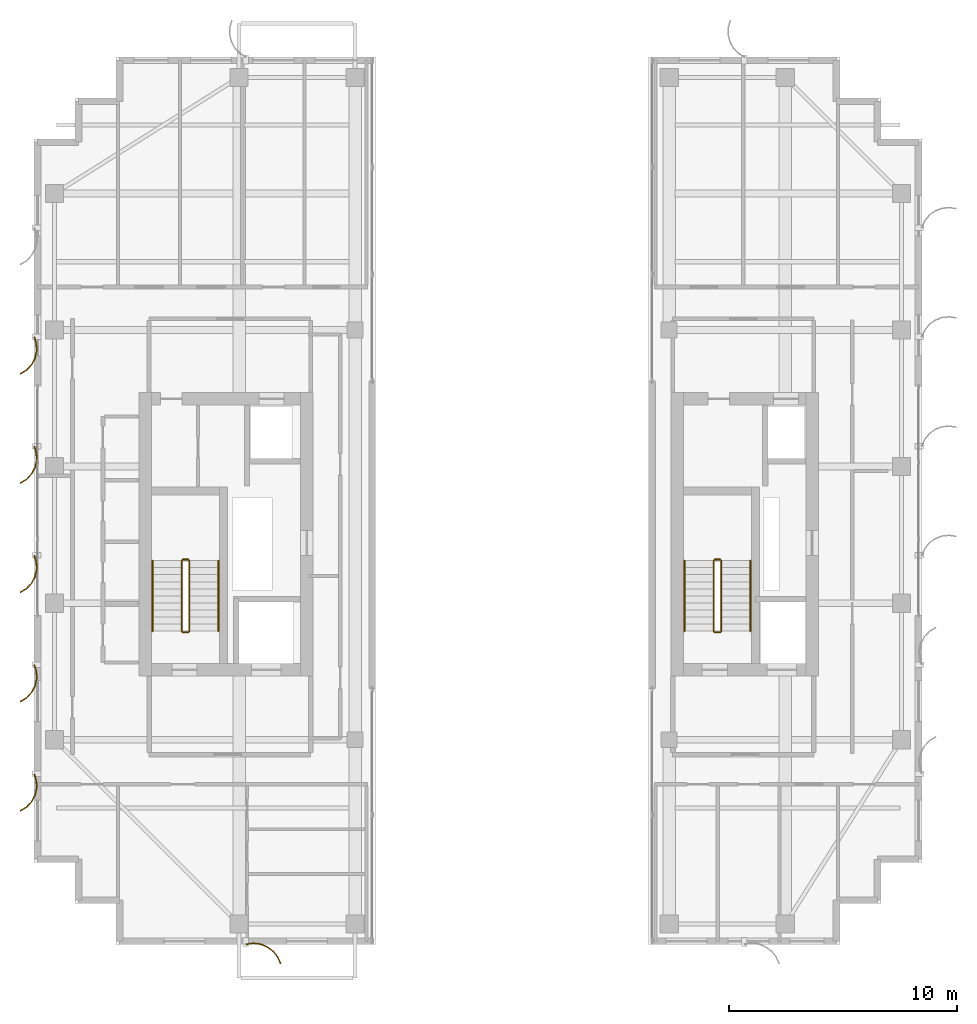
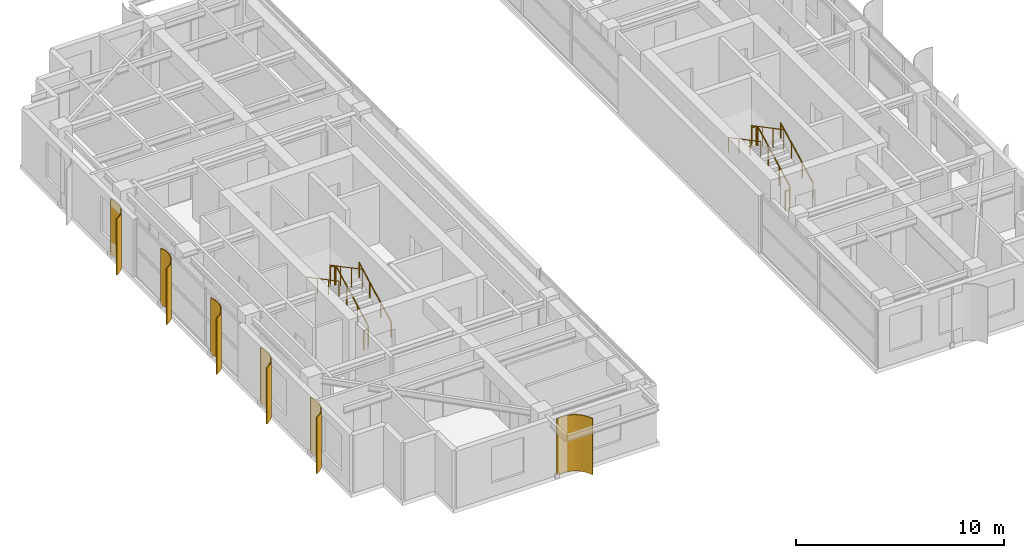
# One storey, part 21 of 22: 12 railings, 6 shading devices.
"""IFC4 building model written with IfcOpenShell, lengths in metres."""

from ifc_helpers import new_model, si_unit, direction, frame, origin, origin_2d, place, context, subcontext, project, spatial, polyline, circle, outline, extrude, source, transform, mapped, material, layer, layer_set, type_object, element, save


model = new_model("IFC4")

# Units and contexts
model_context = context("Model", 3, precision=1e-05, world=origin(), true_north=direction((0.0, 1.0)))
body_context = subcontext(model_context, "Body", "Model", "MODEL_VIEW")
ifc_project = project(units=[si_unit("LENGTHUNIT", "METRE"), si_unit("AREAUNIT", "SQUARE_METRE"), si_unit("VOLUMEUNIT", "CUBIC_METRE"), si_unit("PLANEANGLEUNIT", "RADIAN"), si_unit("MASSUNIT", "GRAM", prefix="KILO")], contexts=[model_context])

# Site, building, storey
site_placement = place(None, origin())
site = spatial("IfcSite", under=ifc_project, at=site_placement, CompositionType="ELEMENT")
building_placement = place(site_placement, origin())
building = spatial("IfcBuilding", under=site, at=building_placement, Name="Khoralis Quay Care Tower", CompositionType="ELEMENT")
storey_placement = place(building_placement, frame((0.0, 0.0, 256.5)))
storey = spatial("IfcBuildingStorey", under=building, at=storey_placement, Name="L67", CompositionType="ELEMENT", Elevation=256.5)

# Railings
ifc_material_1 = material(Name="Brushed stainless steel", Category="steel")
railing_type_1 = type_object("IfcRailingType", Name="RL-GUARD-1150", PredefinedType="GUARDRAIL", material=ifc_material_1)
railing_1_placement = place(storey_placement, frame((9.820068359375, 16.77001953125, 0.16357421875)))
element("IfcRailing", 1, at=railing_1_placement, inside=storey, type_object=railing_type_1, Name="L67 ST-T1 stair guard 1", PredefinedType="GUARDRAIL", context=body_context, shape_type="SweptSolid", body=[
    extrude(circle(Radius=0.02392578125, at=origin_2d()), frame((0.0, 0.0, 1.1259765625), z_axis=(0.0, 0.884348015382, 0.466828220752), x_axis=(-1.0, 0.0, 0.0)), (0.0, 0.0, 1.0), 3.505615234375),
    extrude(circle(Radius=0.02099609375, at=origin_2d()), origin(), (0.0, 0.0, 1.0), 1.101806640625),
    extrude(circle(Radius=0.02099609375, at=origin_2d()), frame((0.0, 1.033447265625, 0.54541015625)), (0.0, 0.0, 1.0), 1.101806640625),
    extrude(circle(Radius=0.02099609375, at=origin_2d()), frame((0.0, 2.066650390625, 1.091064453125)), (0.0, 0.0, 1.0), 1.101806640625),
    extrude(circle(Radius=0.02099609375, at=origin_2d()), frame((0.0, 3.10009765625, 1.636474609375)), (0.0, 0.0, 1.0), 1.101806640625),
])
railing_2_placement = place(storey_placement, frame((9.77001953125, 19.919921875, 1.800048828125)))
element("IfcRailing", 2, at=railing_2_placement, inside=storey, type_object=railing_type_1, Name="L67 ST-T1 stair guard 2", PredefinedType="GUARDRAIL", context=body_context, shape_type="SweptSolid", body=[
    extrude(circle(Radius=0.02392578125, at=origin_2d()), frame((0.0, 0.0, 1.1259765625), z_axis=(-1.0, 0.0, 0.0), x_axis=(0.0, -1.0, 0.0)), (0.0, 0.0, 1.0), 0.239990234375),
    extrude(circle(Radius=0.02099609375, at=origin_2d()), origin(), (0.0, 0.0, 1.0), 1.101806640625),
    extrude(circle(Radius=0.02099609375, at=origin_2d()), frame((-0.239990234375, 0.0, 0.0)), (0.0, 0.0, 1.0), 1.101806640625),
])
railing_3_placement = place(storey_placement, frame((9.47998046875, 19.8701171875, 1.963623046875)))
element("IfcRailing", 3, at=railing_3_placement, inside=storey, type_object=railing_type_1, Name="L67 ST-T1 stair guard 3", PredefinedType="GUARDRAIL", context=body_context, shape_type="SweptSolid", body=[
    extrude(circle(Radius=0.02392578125, at=origin_2d()), frame((0.0, 0.0, 1.1259765625), z_axis=(0.0, -0.884348015382, 0.466828220752), x_axis=(1.0, 0.0, 0.0)), (0.0, 0.0, 1.0), 3.505615234375),
    extrude(circle(Radius=0.02099609375, at=origin_2d()), origin(), (0.0, 0.0, 1.0), 1.101806640625),
    extrude(circle(Radius=0.02099609375, at=origin_2d()), frame((0.0, -1.033447265625, 0.54541015625)), (0.0, 0.0, 1.0), 1.101806640625),
    extrude(circle(Radius=0.02099609375, at=origin_2d()), frame((0.0, -2.066650390625, 1.091064453125)), (0.0, 0.0, 1.0), 1.101806640625),
    extrude(circle(Radius=0.02099609375, at=origin_2d()), frame((0.0, -3.10009765625, 1.636474609375)), (0.0, 0.0, 1.0), 1.101806640625),
])
railing_4_placement = place(storey_placement, frame((9.77001953125, 16.719970703125, 0.0)))
element("IfcRailing", 4, at=railing_4_placement, inside=storey, type_object=railing_type_1, Name="L67 ST-T1 stair guard 4", PredefinedType="GUARDRAIL", context=body_context, shape_type="SweptSolid", body=[
    extrude(circle(Radius=0.02392578125, at=origin_2d()), frame((0.0, 0.0, 1.1259765625), z_axis=(-1.0, 0.0, 0.0), x_axis=(0.0, -1.0, 0.0)), (0.0, 0.0, 1.0), 0.239990234375),
    extrude(circle(Radius=0.02099609375, at=origin_2d()), origin(), (0.0, 0.0, 1.0), 1.101806640625),
    extrude(circle(Radius=0.02099609375, at=origin_2d()), frame((-0.239990234375, 0.0, 0.0)), (0.0, 0.0, 1.0), 1.101806640625),
])
railing_5_placement = place(storey_placement, frame((33.18994140625, 16.77001953125, 0.16357421875)))
element("IfcRailing", 5, at=railing_5_placement, inside=storey, type_object=railing_type_1, Name="L67 ST-T2 stair guard 1", PredefinedType="GUARDRAIL", context=body_context, shape_type="SweptSolid", body=[
    extrude(circle(Radius=0.02392578125, at=origin_2d()), frame((0.0, 0.0, 1.1259765625), z_axis=(0.0, 0.884348015382, 0.466828220752), x_axis=(-1.0, 0.0, 0.0)), (0.0, 0.0, 1.0), 3.505615234375),
    extrude(circle(Radius=0.02099609375, at=origin_2d()), origin(), (0.0, 0.0, 1.0), 1.101806640625),
    extrude(circle(Radius=0.02099609375, at=origin_2d()), frame((0.0, 1.033447265625, 0.54541015625)), (0.0, 0.0, 1.0), 1.101806640625),
    extrude(circle(Radius=0.02099609375, at=origin_2d()), frame((0.0, 2.066650390625, 1.091064453125)), (0.0, 0.0, 1.0), 1.101806640625),
    extrude(circle(Radius=0.02099609375, at=origin_2d()), frame((0.0, 3.10009765625, 1.636474609375)), (0.0, 0.0, 1.0), 1.101806640625),
])
railing_6_placement = place(storey_placement, frame((33.139892578125, 19.919921875, 1.800048828125)))
element("IfcRailing", 6, at=railing_6_placement, inside=storey, type_object=railing_type_1, Name="L67 ST-T2 stair guard 2", PredefinedType="GUARDRAIL", context=body_context, shape_type="SweptSolid", body=[
    extrude(circle(Radius=0.02392578125, at=origin_2d()), frame((0.0, 0.0, 1.1259765625), z_axis=(-1.0, 0.0, 0.0), x_axis=(0.0, -1.0, 0.0)), (0.0, 0.0, 1.0), 0.239990234375),
    extrude(circle(Radius=0.02099609375, at=origin_2d()), origin(), (0.0, 0.0, 1.0), 1.101806640625),
    extrude(circle(Radius=0.02099609375, at=origin_2d()), frame((-0.239990234375, 0.0, 0.0)), (0.0, 0.0, 1.0), 1.101806640625),
])
railing_7_placement = place(storey_placement, frame((32.85009765625, 19.8701171875, 1.963623046875)))
element("IfcRailing", 7, at=railing_7_placement, inside=storey, type_object=railing_type_1, Name="L67 ST-T2 stair guard 3", PredefinedType="GUARDRAIL", context=body_context, shape_type="SweptSolid", body=[
    extrude(circle(Radius=0.02392578125, at=origin_2d()), frame((0.0, 0.0, 1.1259765625), z_axis=(0.0, -0.884348015382, 0.466828220752), x_axis=(1.0, 0.0, 0.0)), (0.0, 0.0, 1.0), 3.505615234375),
    extrude(circle(Radius=0.02099609375, at=origin_2d()), origin(), (0.0, 0.0, 1.0), 1.101806640625),
    extrude(circle(Radius=0.02099609375, at=origin_2d()), frame((0.0, -1.033447265625, 0.54541015625)), (0.0, 0.0, 1.0), 1.101806640625),
    extrude(circle(Radius=0.02099609375, at=origin_2d()), frame((0.0, -2.066650390625, 1.091064453125)), (0.0, 0.0, 1.0), 1.101806640625),
    extrude(circle(Radius=0.02099609375, at=origin_2d()), frame((0.0, -3.10009765625, 1.636474609375)), (0.0, 0.0, 1.0), 1.101806640625),
])
railing_8_placement = place(storey_placement, frame((33.139892578125, 16.719970703125, 0.0)))
element("IfcRailing", 8, at=railing_8_placement, inside=storey, type_object=railing_type_1, Name="L67 ST-T2 stair guard 4", PredefinedType="GUARDRAIL", context=body_context, shape_type="SweptSolid", body=[
    extrude(circle(Radius=0.02392578125, at=origin_2d()), frame((0.0, 0.0, 1.1259765625), z_axis=(-1.0, 0.0, 0.0), x_axis=(0.0, -1.0, 0.0)), (0.0, 0.0, 1.0), 0.239990234375),
    extrude(circle(Radius=0.02099609375, at=origin_2d()), origin(), (0.0, 0.0, 1.0), 1.101806640625),
    extrude(circle(Radius=0.02099609375, at=origin_2d()), frame((-0.239990234375, 0.0, 0.0)), (0.0, 0.0, 1.0), 1.101806640625),
])
railing_type_2 = type_object("IfcRailingType", Name="RL-HAND-900", PredefinedType="HANDRAIL", material=ifc_material_1)
railing_9_placement = place(storey_placement, frame((11.10009765625, 16.77001953125, 0.16357421875)))
element("IfcRailing", 9, at=railing_9_placement, inside=storey, type_object=railing_type_2, Name="L67 ST-T1 stair handrail 1", PredefinedType="HANDRAIL", context=body_context, shape_type="SweptSolid", body=[
    extrude(circle(Radius=0.02392578125, at=origin_2d()), frame((0.0, 0.0, 0.8759765625), z_axis=(0.0, 0.884348015382, 0.466828220752), x_axis=(-1.0, 0.0, 0.0)), (0.0, 0.0, 1.0), 3.505615234375),
    extrude(circle(Radius=0.02099609375, at=origin_2d()), origin(), (0.0, 0.0, 1.0), 0.851806640625),
    extrude(circle(Radius=0.02099609375, at=origin_2d()), frame((0.0, 1.033447265625, 0.54541015625)), (0.0, 0.0, 1.0), 0.851806640625),
    extrude(circle(Radius=0.02099609375, at=origin_2d()), frame((0.0, 2.066650390625, 1.091064453125)), (0.0, 0.0, 1.0), 0.851806640625),
    extrude(circle(Radius=0.02099609375, at=origin_2d()), frame((0.0, 3.10009765625, 1.636474609375)), (0.0, 0.0, 1.0), 0.851806640625),
])
railing_10_placement = place(storey_placement, frame((8.199951171875, 19.8701171875, 1.963623046875)))
element("IfcRailing", 10, at=railing_10_placement, inside=storey, type_object=railing_type_2, Name="L67 ST-T1 stair handrail 2", PredefinedType="HANDRAIL", context=body_context, shape_type="SweptSolid", body=[
    extrude(circle(Radius=0.02392578125, at=origin_2d()), frame((0.0, 0.0, 0.8759765625), z_axis=(0.0, -0.884348015382, 0.466828220752), x_axis=(1.0, 0.0, 0.0)), (0.0, 0.0, 1.0), 3.505615234375),
    extrude(circle(Radius=0.02099609375, at=origin_2d()), origin(), (0.0, 0.0, 1.0), 0.851806640625),
    extrude(circle(Radius=0.02099609375, at=origin_2d()), frame((0.0, -1.033447265625, 0.54541015625)), (0.0, 0.0, 1.0), 0.851806640625),
    extrude(circle(Radius=0.02099609375, at=origin_2d()), frame((0.0, -2.066650390625, 1.091064453125)), (0.0, 0.0, 1.0), 0.851806640625),
    extrude(circle(Radius=0.02099609375, at=origin_2d()), frame((0.0, -3.10009765625, 1.636474609375)), (0.0, 0.0, 1.0), 0.851806640625),
])
railing_11_placement = place(storey_placement, frame((34.469970703125, 16.77001953125, 0.16357421875)))
element("IfcRailing", 11, at=railing_11_placement, inside=storey, type_object=railing_type_2, Name="L67 ST-T2 stair handrail 1", PredefinedType="HANDRAIL", context=body_context, shape_type="SweptSolid", body=[
    extrude(circle(Radius=0.02392578125, at=origin_2d()), frame((0.0, 0.0, 0.8759765625), z_axis=(0.0, 0.884348015382, 0.466828220752), x_axis=(-1.0, 0.0, 0.0)), (0.0, 0.0, 1.0), 3.505615234375),
    extrude(circle(Radius=0.02099609375, at=origin_2d()), origin(), (0.0, 0.0, 1.0), 0.851806640625),
    extrude(circle(Radius=0.02099609375, at=origin_2d()), frame((0.0, 1.033447265625, 0.54541015625)), (0.0, 0.0, 1.0), 0.851806640625),
    extrude(circle(Radius=0.02099609375, at=origin_2d()), frame((0.0, 2.066650390625, 1.091064453125)), (0.0, 0.0, 1.0), 0.851806640625),
    extrude(circle(Radius=0.02099609375, at=origin_2d()), frame((0.0, 3.10009765625, 1.636474609375)), (0.0, 0.0, 1.0), 0.851806640625),
])
railing_12_placement = place(storey_placement, frame((31.570068359375, 19.8701171875, 1.963623046875)))
element("IfcRailing", 12, at=railing_12_placement, inside=storey, type_object=railing_type_2, Name="L67 ST-T2 stair handrail 2", PredefinedType="HANDRAIL", context=body_context, shape_type="SweptSolid", body=[
    extrude(circle(Radius=0.02392578125, at=origin_2d()), frame((0.0, 0.0, 0.8759765625), z_axis=(0.0, -0.884348015382, 0.466828220752), x_axis=(1.0, 0.0, 0.0)), (0.0, 0.0, 1.0), 3.505615234375),
    extrude(circle(Radius=0.02099609375, at=origin_2d()), origin(), (0.0, 0.0, 1.0), 0.851806640625),
    extrude(circle(Radius=0.02099609375, at=origin_2d()), frame((0.0, -1.033447265625, 0.54541015625)), (0.0, 0.0, 1.0), 0.851806640625),
    extrude(circle(Radius=0.02099609375, at=origin_2d()), frame((0.0, -2.066650390625, 1.091064453125)), (0.0, 0.0, 1.0), 0.851806640625),
    extrude(circle(Radius=0.02099609375, at=origin_2d()), frame((0.0, -3.10009765625, 1.636474609375)), (0.0, 0.0, 1.0), 0.851806640625),
])

# Shading devices
ifc_material_2 = material(Name="Brushed pale anodised aluminium", Category="aluminium")
ifc_layer = layer(ifc_material_2, 0.044921875)
ifc_layer_set = layer_set([ifc_layer], Name="Brushed pale anodised aluminium")
shading_device_type = type_object("IfcShadingDeviceType", Name="SHD-FIN-1250", PredefinedType="USERDEFINED", material=ifc_layer_set)
shared_shape_1 = source(origin(), body_context, "Body", "SweptSolid", [
    extrude(outline(polyline([(0.0, 0.0), (-0.04833984375, 0.32275390625), (-0.01123046875, 0.64697265625), (0.1083984375, 0.950439453125), (0.302490234375, 1.212890625), (0.557861328125, 1.416015625), (0.85693359375, 1.546142578125), (0.869384765625, 1.5029296875), (0.5810546875, 1.37744140625), (0.334716796875, 1.181640625), (0.147705078125, 0.9287109375), (0.032470703125, 0.635986328125), (-0.003173828125, 0.323486328125), (0.043212890625, 0.012451171875), (0.0, 0.0)])), origin(), (0.0, 0.0, 1.0), 3.300048828125),
])
shading_device_placement = place(storey_placement, frame((12.300048828125, 3.030029296875, 0.02001953125), z_axis=(0.0, 0.0, 1.0), x_axis=(0.0, -1.0, 0.0)))
element("IfcShadingDevice", 13, at=shading_device_placement, inside=storey, type_object=shading_device_type, Name="L67 Curved Solar Fin P1E0-01", ObjectType="FIN", PredefinedType="USERDEFINED", context=body_context, shape_type="MappedRepresentation", body=[
    mapped(shared_shape_1, transform((0.0, 0.0, 0.0), scale=1.0)),
])
shared_shape_2 = source(origin(), body_context, "Body", "SweptSolid", [
    extrude(outline(polyline([(0.0, 0.0), (-0.0927734375, 0.31298828125), (-0.101318359375, 0.63916015625), (-0.025146484375, 0.956298828125), (0.130615234375, 1.2431640625), (0.355224609375, 1.479736328125), (0.633544921875, 1.650390625), (0.65185546875, 1.609130859375), (0.383544921875, 1.44482421875), (0.1669921875, 1.216796875), (0.01708984375, 0.940185546875), (-0.056396484375, 0.63427734375), (-0.04833984375, 0.31982421875), (0.041015625, 0.018310546875), (0.0, 0.0)])), origin(), (0.0, 0.0, 1.0), 3.300048828125),
])
for number, where, z_axis, x_axis, name in (
    (14, (3.030029296875, 29.699951171875, 0.02001953125), (0.0, 0.0, 1.0), (-1.0, 0.0, 0.0), "L67 Curved Solar Fin P1E7-02"),
    (15, (3.030029296875, 24.89990234375, 0.02001953125), (0.0, 0.0, 1.0), (-1.0, 0.0, 0.0), "L67 Curved Solar Fin P1E7-03"),
    (16, (3.030029296875, 20.10009765625, 0.02001953125), (0.0, 0.0, 1.0), (-1.0, 0.0, 0.0), "L67 Curved Solar Fin P1E7-04"),
    (17, (3.030029296875, 15.300048828125, 0.02001953125), (0.0, 0.0, 1.0), (-1.0, 0.0, 0.0), "L67 Curved Solar Fin P1E7-05"),
    (18, (3.030029296875, 10.5, 0.02001953125), (0.0, 0.0, 1.0), (-1.0, 0.0, 0.0), "L67 Curved Solar Fin P1E7-06"),
):
    element("IfcShadingDevice", number, at=place(storey_placement, frame(where, z_axis=z_axis, x_axis=x_axis)), inside=storey, type_object=shading_device_type, Name=name, ObjectType="FIN", PredefinedType="USERDEFINED", context=body_context, shape_type="MappedRepresentation", body=[
        mapped(shared_shape_2, transform((0.0, 0.0, 0.0), scale=1.0)),
    ])

save(model, "model.ifc")
